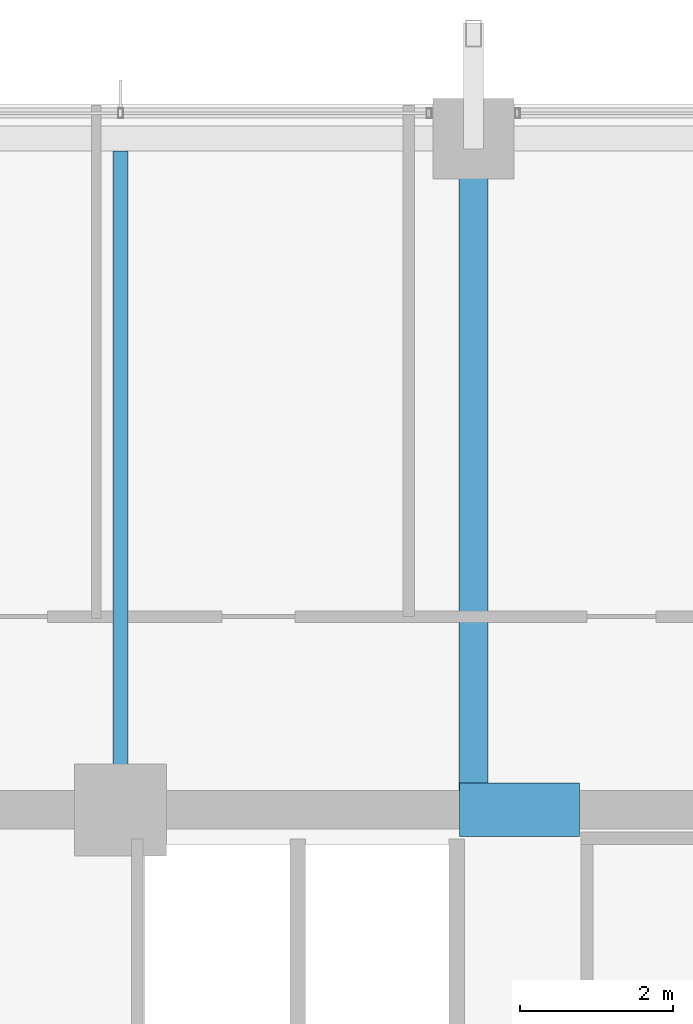
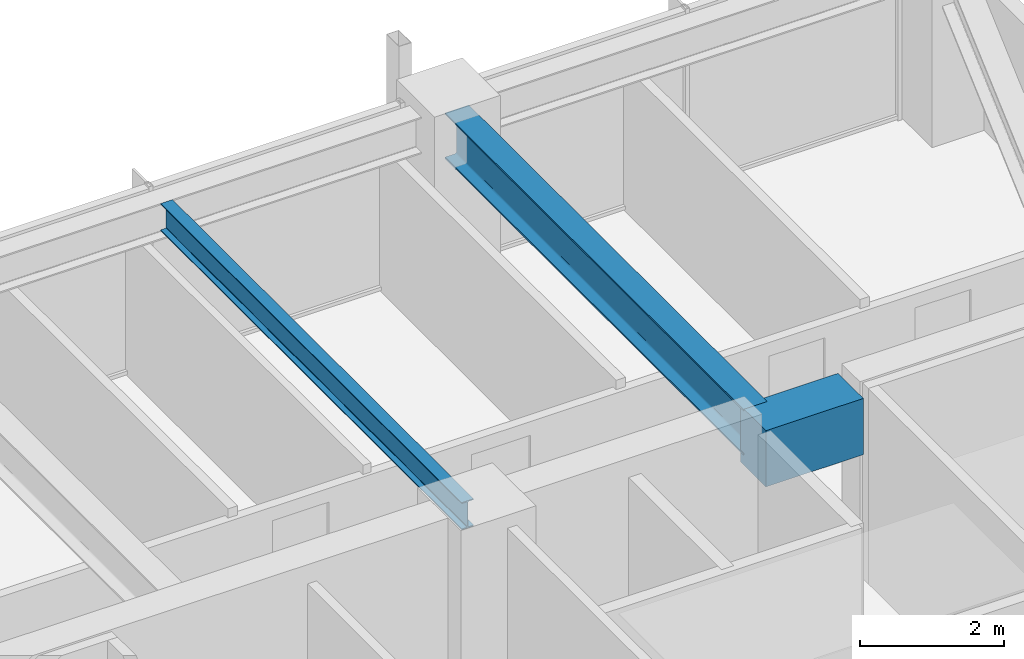
# One storey, part 22 of 38: 3 beams.
"""IFC4 building model written with IfcOpenShell, lengths in metres."""

from ifc_helpers import new_model, si_unit, direction, frame, origin, origin_2d, place, context, subcontext, project, spatial, rectangle, i_section, extrude, material, material_profile, profile_set, type_object, element, save


model = new_model("IFC4")

# Units and contexts
model_context = context("Model", 3, precision=1e-05, world=origin(), true_north=direction((0.0, 1.0)))
body_context = subcontext(model_context, "Body", "Model", "MODEL_VIEW")
ifc_project = project(units=[si_unit("LENGTHUNIT", "METRE"), si_unit("AREAUNIT", "SQUARE_METRE"), si_unit("VOLUMEUNIT", "CUBIC_METRE"), si_unit("PLANEANGLEUNIT", "RADIAN"), si_unit("MASSUNIT", "GRAM", prefix="KILO")], contexts=[model_context])

# Site, building, storey
site_placement = place(None, origin())
site = spatial("IfcSite", under=ifc_project, at=site_placement, CompositionType="ELEMENT")
building_placement = place(site_placement, origin())
building = spatial("IfcBuilding", under=site, at=building_placement, Name="Kolvaren Belvedere", CompositionType="ELEMENT")
storey_placement = place(building_placement, frame((0.0, 0.0, 121.699951171875)))
storey = spatial("IfcBuildingStorey", under=building, at=storey_placement, Name="L35", CompositionType="ELEMENT", Elevation=121.699951171875)

# Beams
ifc_material_1 = material(Name="Structural steel ASTM A992 Grade 50", Category="steel")
ifc_material_profile_1 = material_profile(ifc_material_1, i_section(OverallWidth=0.381103515625, OverallDepth=0.77294921875, WebThickness=0.0166015625, FlangeThickness=0.027099609375, FilletRadius=0.02392578125, at=origin_2d()), Name="W30X173")
ifc_profile_set_1 = profile_set([ifc_material_profile_1], Name="Structural steel ASTM A992 Grade 50")
beam_type_1 = type_object("IfcBeamType", Name="BM-GIRD-W30X173", PredefinedType="BEAM", material=ifc_profile_set_1)
beam_1_placement = place(storey_placement, frame((4.60009765625, 10.14990234375, 2.693603515625), z_axis=(0.0, 1.0, 0.0), x_axis=(-1.0, 0.0, 0.0)))
element("IfcBeam", 1, at=beam_1_placement, inside=storey, type_object=beam_type_1, Name="L35 North Radial Girder P", PredefinedType="BEAM", context=body_context, shape_type="SweptSolid", body=[
    extrude(i_section(OverallWidth=0.381103515625, OverallDepth=0.77294921875, WebThickness=0.0166015625, FlangeThickness=0.027099609375, FilletRadius=0.02392578125, at=origin_2d()), origin(), (0.0, 0.0, 1.0), 8.263916015625),
])
ifc_material_2 = material(Name="Structural steel ASTM A992 Grade 50", Category="steel")
ifc_material_profile_2 = material_profile(ifc_material_2, i_section(OverallWidth=0.19091796875, OverallDepth=0.4599609375, WebThickness=0.010009765625, FlangeThickness=0.01611328125, FilletRadius=0.014892578125, at=origin_2d()), Name="W18X55")
ifc_profile_set_2 = profile_set([ifc_material_profile_2], Name="Structural steel ASTM A992 Grade 50")
beam_type_2 = type_object("IfcBeamType", Name="BM-JOIST-W18X55", PredefinedType="BEAM", material=ifc_profile_set_2)
beam_2_placement = place(storey_placement, frame((0.0, 10.14990234375, 2.85009765625), z_axis=(0.0, 1.0, 0.0), x_axis=(-1.0, 0.0, 0.0)))
element("IfcBeam", 2, at=beam_2_placement, inside=storey, type_object=beam_type_2, Name="L35 North Centre Floor Beam", PredefinedType="BEAM", context=body_context, shape_type="SweptSolid", body=[
    extrude(i_section(OverallWidth=0.19091796875, OverallDepth=0.4599609375, WebThickness=0.010009765625, FlangeThickness=0.01611328125, FilletRadius=0.014892578125, at=origin_2d()), origin(), (0.0, 0.0, 1.0), 8.337646484375),
])
ifc_material_3 = material(Name="Concrete C60/75", Category="concrete")
ifc_material_profile_3 = material_profile(ifc_material_3, rectangle(XDim=0.699951171875, YDim=0.949951171875, at=origin_2d()), Name="RC 700X950")
ifc_profile_set_3 = profile_set([ifc_material_profile_3], Name="Concrete C60/75")
beam_type_3 = type_object("IfcBeamType", Name="BM-LINT-950", PredefinedType="LINTEL", material=ifc_profile_set_3)
beam_3_placement = place(storey_placement, frame((4.419921875, 9.89990234375, 2.60498046875), z_axis=(1.0, 0.0, 0.0), x_axis=(0.0, 1.0, 0.0)))
element("IfcBeam", 3, at=beam_3_placement, inside=storey, type_object=beam_type_3, Name="L35 North Core Coupling Lintel", PredefinedType="LINTEL", context=body_context, shape_type="SweptSolid", body=[
    extrude(rectangle(XDim=0.699951171875, YDim=0.949951171875, at=origin_2d()), origin(), (0.0, 0.0, 1.0), 1.56005859375),
])

save(model, "model.ifc")
